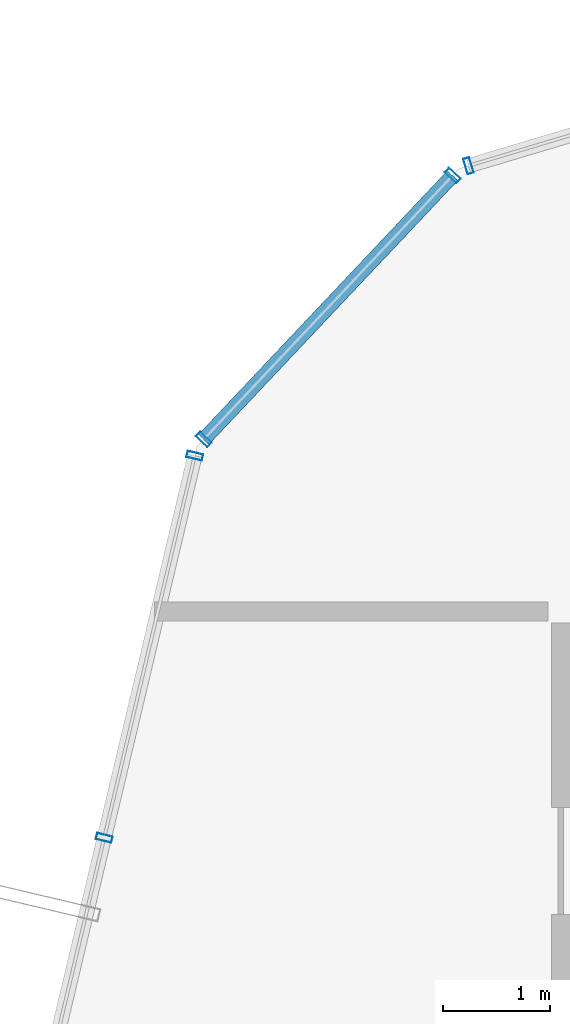
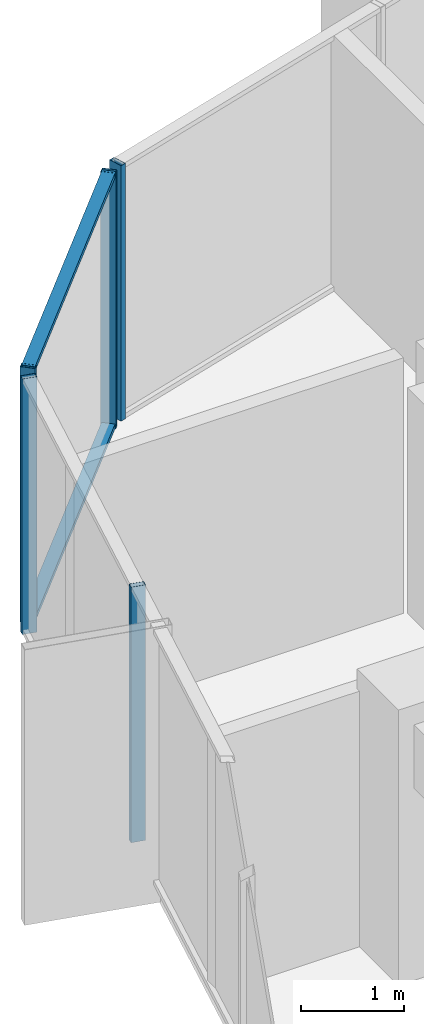
# One storey, part 13 of 28: 7 members, 3 elements without a shape of their own.
"""IFC4 building model written with IfcOpenShell, lengths in metres."""

from ifc_helpers import new_model, si_unit, direction, frame, origin, origin_2d, place, context, subcontext, project, spatial, hollow_rectangle, extrude, source, transform, mapped, material, layer, layer_set, material_profile, profile_set, type_object, element, aggregate, save


model = new_model("IFC4")

# Units and contexts
model_context = context("Model", 3, precision=1e-05, world=origin(), true_north=direction((0.0, 1.0)))
body_context = subcontext(model_context, "Body", "Model", "MODEL_VIEW")
ifc_project = project(units=[si_unit("LENGTHUNIT", "METRE"), si_unit("AREAUNIT", "SQUARE_METRE"), si_unit("VOLUMEUNIT", "CUBIC_METRE"), si_unit("PLANEANGLEUNIT", "RADIAN"), si_unit("MASSUNIT", "GRAM", prefix="KILO")], contexts=[model_context])

# Site, building, storey
site_placement = place(None, origin())
site = spatial("IfcSite", under=ifc_project, at=site_placement, CompositionType="ELEMENT")
building_placement = place(site_placement, origin())
building = spatial("IfcBuilding", under=site, at=building_placement, Name="Veraguas Prism Commons", CompositionType="ELEMENT")
storey_placement = place(building_placement, frame((0.0, 0.0, 254.5)))
storey = spatial("IfcBuildingStorey", under=building, at=storey_placement, Name="L72", CompositionType="ELEMENT", Elevation=254.5)

# Curtain wall, member
ifc_material = material(Name="Anodised aluminium EN AW-6063 T6", Category="aluminium")
ifc_layer = layer(ifc_material, 0.14990234375, Name="Unitised Flush Curtain Wall Zone 4", Category="aluminium")
ifc_layer_set = layer_set([ifc_layer], Name="Anodised aluminium EN AW-6063 T6")
curtain_wall_type = type_object("IfcCurtainWallType", Name="Unitised Flush Curtain Wall Zone 4", PredefinedType="NOTDEFINED", material=ifc_layer_set)
curtain_wall_1_placement = place(storey_placement, origin())
curtain_wall_1 = element("IfcCurtainWall", 1, at=curtain_wall_1_placement, inside=storey, type_object=curtain_wall_type, Name="Tower Facade Curtain Wall L72-F2", PredefinedType="NOTDEFINED")
ifc_material_profile_1 = material_profile(ifc_material, hollow_rectangle(XDim=0.06005859375, YDim=0.14990234375, WallThickness=0.0029296875, at=origin_2d()), Name="AL60X150X3")
ifc_profile_set_1 = profile_set([ifc_material_profile_1], Name="Anodised aluminium EN AW-6063 T6")
member_type_1 = type_object("IfcMemberType", Name="Curtain Wall Mullion Upper AL 60x150x3", PredefinedType="MULLION", material=ifc_profile_set_1)
shared_shape_1 = source(origin(), body_context, "Body", "SweptSolid", [
    extrude(hollow_rectangle(XDim=0.06005859375, YDim=0.14990234375, WallThickness=0.0029296875, at=origin_2d()), origin(), (0.0, 0.0, 1.0), 3.014892578125),
])
member_1_placement = place(storey_placement, frame((12.238037109375, 37.65576171875, 0.0), z_axis=(0.0, 0.0, 1.0), x_axis=(-0.958022876902, -0.286691763629, 0.0)))
member_1 = element("IfcMember", 2, at=member_1_placement, type_object=member_type_1, Name="CW-Z4 Mullion 5", PredefinedType="MULLION", context=body_context, shape_type="MappedRepresentation", body=[
    mapped(shared_shape_1, transform((0.0, 0.0, 0.0), scale=1.0)),
])
aggregate(curtain_wall_1, [member_1])

# Curtain wall, members
curtain_wall_2_placement = place(storey_placement, origin())
curtain_wall_2 = element("IfcCurtainWall", 3, at=curtain_wall_2_placement, inside=storey, type_object=curtain_wall_type, Name="Tower Facade Curtain Wall L72-F3", PredefinedType="NOTDEFINED")
member_2_placement = place(storey_placement, frame((9.686279296875, 34.951416015625, 0.0), z_axis=(0.0, 0.0, 1.0), x_axis=(-0.230740975733, -0.973015211658, 0.0)))
member_2 = element("IfcMember", 4, at=member_2_placement, type_object=member_type_1, Name="CW-Z4 Mullion 1", PredefinedType="MULLION", context=body_context, shape_type="MappedRepresentation", body=[
    mapped(shared_shape_1, transform((0.0, 0.0, 0.0), scale=1.0)),
])
member_3_placement = place(storey_placement, frame((8.84130859375, 31.388427734375, 0.0), z_axis=(0.0, 0.0, 1.0), x_axis=(-0.230740975733, -0.973015211658, 0.0)))
member_3 = element("IfcMember", 5, at=member_3_placement, type_object=member_type_1, Name="CW-Z4 Mullion 2", PredefinedType="MULLION", context=body_context, shape_type="MappedRepresentation", body=[
    mapped(shared_shape_1, transform((0.0, 0.0, 0.0), scale=1.0)),
])
aggregate(curtain_wall_2, [member_2, member_3])

curtain_wall_3_placement = place(storey_placement, origin())
curtain_wall_3 = element("IfcCurtainWall", 6, at=curtain_wall_3_placement, inside=storey, type_object=curtain_wall_type, Name="Chamfer Curtain Wall L72-C3", PredefinedType="NOTDEFINED")
member_4_placement = place(storey_placement, frame((12.090087890625, 37.564453125, 0.0), z_axis=(0.0, 0.0, 1.0), x_axis=(-0.686300879229, -0.727317745672, 0.0)))
member_4 = element("IfcMember", 7, at=member_4_placement, type_object=member_type_1, Name="CW-Z4 Mullion 1", PredefinedType="MULLION", context=body_context, shape_type="MappedRepresentation", body=[
    mapped(shared_shape_1, transform((0.0, 0.0, 0.0), scale=1.0)),
])
member_5_placement = place(storey_placement, frame((9.768798828125, 35.104248046875, 0.0), z_axis=(0.0, 0.0, 1.0), x_axis=(-0.686300879229, -0.727317745672, 0.0)))
member_5 = element("IfcMember", 8, at=member_5_placement, type_object=member_type_1, Name="CW-Z4 Mullion 2", PredefinedType="MULLION", context=body_context, shape_type="MappedRepresentation", body=[
    mapped(shared_shape_1, transform((0.0, 0.0, 0.0), scale=1.0)),
])
ifc_material_profile_2 = material_profile(ifc_material, hollow_rectangle(XDim=0.054931640625, YDim=0.135009765625, WallThickness=0.0029296875, at=origin_2d()), Name="AL55X135X3")
ifc_profile_set_2 = profile_set([ifc_material_profile_2], Name="Anodised aluminium EN AW-6063 T6")
member_type_2 = type_object("IfcMemberType", Name="Curtain Wall Transom Standard AL 55x135x3", PredefinedType="USERDEFINED", material=ifc_profile_set_2)
shared_shape_2 = source(origin(), body_context, "Body", "SweptSolid", [
    extrude(hollow_rectangle(XDim=0.054931640625, YDim=0.135009765625, WallThickness=0.0029296875, at=origin_2d()), origin(), (0.0, 0.0, 1.0), 3.382568359375),
])
member_6_placement = place(storey_placement, frame((12.090087890625, 37.564453125, 0.027587890625), z_axis=(-0.68627374664, -0.72734334717, 0.0), x_axis=(0.0, 0.0, 1.0)))
member_6 = element("IfcMember", 9, at=member_6_placement, type_object=member_type_2, Name="CW-Z4 Transom 1", ObjectType="TRANSOM", PredefinedType="USERDEFINED", context=body_context, shape_type="MappedRepresentation", body=[
    mapped(shared_shape_2, transform((0.0, 0.0, 0.0), scale=1.0)),
])
member_7_placement = place(storey_placement, frame((12.090087890625, 37.564453125, 2.987548828125), z_axis=(-0.68627374664, -0.72734334717, 0.0), x_axis=(0.0, 0.0, 1.0)))
member_7 = element("IfcMember", 10, at=member_7_placement, type_object=member_type_2, Name="CW-Z4 Transom 2", ObjectType="TRANSOM", PredefinedType="USERDEFINED", context=body_context, shape_type="MappedRepresentation", body=[
    mapped(shared_shape_2, transform((0.0, 0.0, 0.0), scale=1.0)),
])
aggregate(curtain_wall_3, [member_4, member_5, member_6, member_7])

save(model, "model.ifc")
